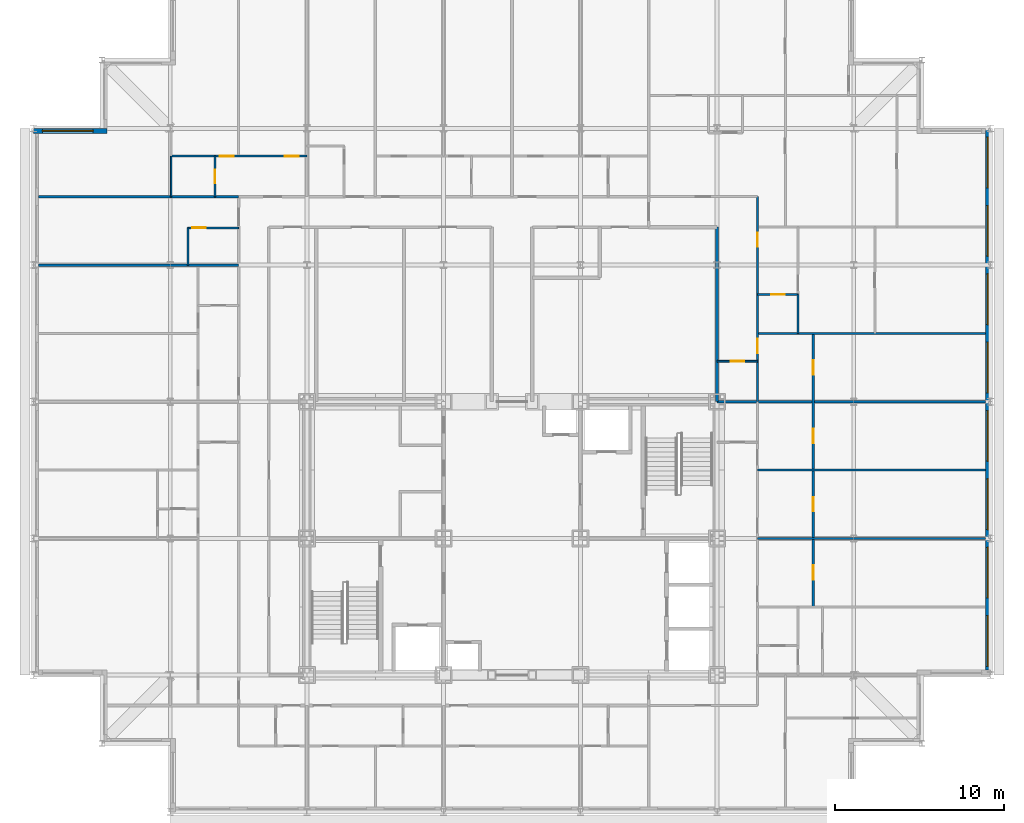
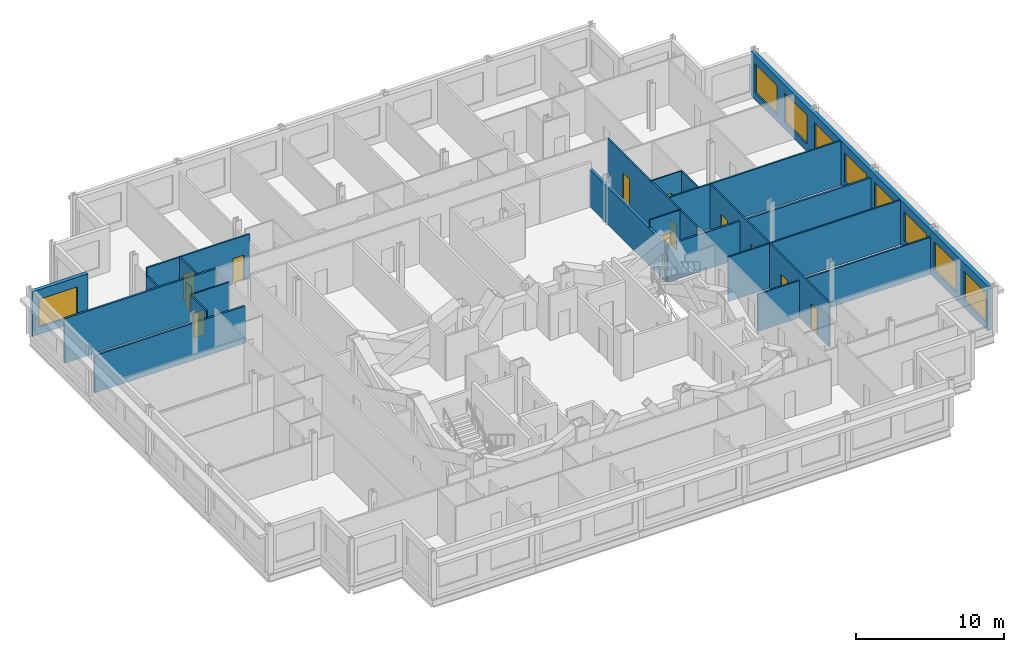
# One storey, part 11 of 15: 19 walls, 12 doors, 9 windows, 21 openings.
"""IFC4 building model written with IfcOpenShell, lengths in metres."""

from ifc_helpers import new_model, si_unit, direction, frame, frame_2d, origin, place, context, subcontext, project, spatial, rectangle, extrude, material, layer, layer_set, type_object, element, fill, save


model = new_model("IFC4")

# Units and contexts
model_context = context("Model", 3, precision=1e-05, world=origin(), true_north=direction((0.0, 1.0)))
body_context = subcontext(model_context, "Body", "Model", "MODEL_VIEW")
ifc_project = project(units=[si_unit("LENGTHUNIT", "METRE"), si_unit("AREAUNIT", "SQUARE_METRE"), si_unit("VOLUMEUNIT", "CUBIC_METRE"), si_unit("PLANEANGLEUNIT", "RADIAN"), si_unit("MASSUNIT", "GRAM", prefix="KILO")], contexts=[model_context])

# Site, building, storey
site_placement = place(None, origin())
site = spatial("IfcSite", under=ifc_project, at=site_placement, CompositionType="ELEMENT")
building_placement = place(site_placement, origin())
building = spatial("IfcBuilding", under=site, at=building_placement, Name="Kopane Lantern Tower", CompositionType="ELEMENT")
storey_placement = place(building_placement, frame((0.0, 0.0, 277.5)))
storey = spatial("IfcBuildingStorey", under=building, at=storey_placement, Name="L71", CompositionType="ELEMENT", Elevation=277.5)

# Wall, openings, doors
ifc_material_1 = material(Name="Gypsum board on steel studs", Category="steel")
ifc_layer_1 = layer(ifc_material_1, 0.1201171875)
ifc_layer_set_1 = layer_set([ifc_layer_1], Name="APARTMENT INTERNAL WALL 120")
wall_type_1 = type_object("IfcWallType", Name="APARTMENT INTERNAL WALL 120", PredefinedType="PARTITIONING", material=ifc_layer_set_1)
wall_1_placement = place(storey_placement, frame((8.14990234375, 55.050048828125, 0.0), z_axis=(0.0, 0.0, 1.0), x_axis=(1.0, 0.0, 0.0)))
wall_1 = element("IfcWall", 1, at=wall_1_placement, inside=storey, type_object=wall_type_1, Name="Apartment Internal Wall 120 L71", PredefinedType="PARTITIONING", context=body_context, shape_type="SweptSolid", body=[
    extrude(rectangle(XDim=8.050048828125, YDim=0.1201171875, at=frame_2d((4.02490234375, 0.0))), origin(), (0.0, 0.0, 1.0), 3.68994140625),
])
opening_1_placement = place(wall_1_placement, frame((6.72509765625, 0.0, 0.0)))
opening_1 = element("IfcOpeningElement", 2, at=opening_1_placement, cuts=wall_1, Name="Opening L71-042", PredefinedType="OPENING", context=body_context, shape_type="SweptSolid", body=[
    extrude(rectangle(XDim=0.85009765625, YDim=2.10009765625, at=frame_2d((0.425048828125, 1.050048828125))), frame((0.0, 0.070068359375, 0.0), z_axis=(0.0, -1.0, 0.0), x_axis=(1.0, 0.0, 0.0)), (0.0, 0.0, 1.0), 0.14013671875),
])
opening_2_placement = place(wall_1_placement, frame((2.875, 0.0, 0.0)))
opening_2 = element("IfcOpeningElement", 3, at=opening_2_placement, cuts=wall_1, Name="Opening L71-044", PredefinedType="OPENING", context=body_context, shape_type="SweptSolid", body=[
    extrude(rectangle(XDim=0.85009765625, YDim=2.10009765625, at=frame_2d((0.425048828125, 1.050048828125))), frame((0.0, 0.070068359375, 0.0), z_axis=(0.0, -1.0, 0.0), x_axis=(1.0, 0.0, 0.0)), (0.0, 0.0, 1.0), 0.14013671875),
])
ifc_material_2 = material(Name="Timber door set", Category="wood")
door_type_1 = type_object("IfcDoorType", Name="DOOR D4 850x2100", OperationType="SINGLE_SWING_LEFT", PredefinedType="DOOR", material=ifc_material_2)
door_1_placement = place(opening_1_placement, origin())
door_1 = element("IfcDoor", 4, at=door_1_placement, inside=storey, type_object=door_type_1, Name="Door L71-042", OperationType="SINGLE_SWING_LEFT", OverallHeight=2.10009765625, OverallWidth=0.85009765625, PredefinedType="DOOR", context=body_context, shape_type="SweptSolid", body=[
    extrude(rectangle(XDim=0.85009765625, YDim=2.10009765625, at=frame_2d((0.425048828125, 1.050048828125))), frame((0.0, 0.02490234375, 0.0), z_axis=(0.0, -1.0, 0.0), x_axis=(1.0, 0.0, 0.0)), (0.0, 0.0, 1.0), 0.050048828125),
])
fill(opening_1, door_1)
door_2_placement = place(opening_2_placement, origin())
door_2 = element("IfcDoor", 5, at=door_2_placement, inside=storey, type_object=door_type_1, Name="Door L71-044", OperationType="SINGLE_SWING_RIGHT", OverallHeight=2.10009765625, OverallWidth=0.85009765625, PredefinedType="DOOR", context=body_context, shape_type="SweptSolid", body=[
    extrude(rectangle(XDim=0.85009765625, YDim=2.10009765625, at=frame_2d((0.425048828125, 1.050048828125))), frame((0.0, 0.02490234375, 0.0), z_axis=(0.0, -1.0, 0.0), x_axis=(1.0, 0.0, 0.0)), (0.0, 0.0, 1.0), 0.050048828125),
])
fill(opening_2, door_2)

# Walls
wall_2_placement = place(storey_placement, frame((42.89990234375, 32.39990234375, 0.0), z_axis=(0.0, 0.0, 1.0), x_axis=(1.0, 0.0, 0.0)))
element("IfcWall", 6, at=wall_2_placement, inside=storey, type_object=wall_type_1, Name="Apartment Internal Wall 120 L71", PredefinedType="PARTITIONING", context=body_context, shape_type="SweptSolid", body=[
    extrude(rectangle(XDim=13.5, YDim=0.1201171875, at=frame_2d((6.75, 0.0))), origin(), (0.0, 0.0, 1.0), 3.077880859375),
])
wall_3_placement = place(storey_placement, frame((42.89990234375, 36.449951171875, 0.0), z_axis=(0.0, 0.0, 1.0), x_axis=(1.0, 0.0, 0.0)))
element("IfcWall", 7, at=wall_3_placement, inside=storey, type_object=wall_type_1, Name="Apartment Internal Wall 120 L71", PredefinedType="PARTITIONING", context=body_context, shape_type="SweptSolid", body=[
    extrude(rectangle(XDim=13.5, YDim=0.1201171875, at=frame_2d((6.75, 0.0))), origin(), (0.0, 0.0, 1.0), 3.68994140625),
])

# Wall, openings, doors
wall_4_placement = place(storey_placement, frame((42.89990234375, 52.64990234375, 0.0), z_axis=(0.0, 0.0, 1.0), x_axis=(0.0, -1.0, 0.0)))
wall_4 = element("IfcWall", 8, at=wall_4_placement, inside=storey, type_object=wall_type_1, Name="Apartment Internal Wall 120 L71", PredefinedType="PARTITIONING", context=body_context, shape_type="SweptSolid", body=[
    extrude(rectangle(XDim=12.14990234375, YDim=0.1201171875, at=frame_2d((6.074951171875, 0.0))), origin(), (0.0, 0.0, 1.0), 3.68994140625),
])
opening_3_placement = place(wall_4_placement, frame((2.125, 0.0, 0.0)))
opening_3 = element("IfcOpeningElement", 9, at=opening_3_placement, cuts=wall_4, Name="Opening L71-061", PredefinedType="OPENING", context=body_context, shape_type="SweptSolid", body=[
    extrude(rectangle(XDim=0.85009765625, YDim=2.10009765625, at=frame_2d((0.425048828125, 1.050048828125))), frame((0.0, 0.070068359375, 0.0), z_axis=(0.0, -1.0, 0.0), x_axis=(1.0, 0.0, 0.0)), (0.0, 0.0, 1.0), 0.14013671875),
])
opening_4_placement = place(wall_4_placement, frame((8.425048828125, 0.0, 0.0)))
opening_4 = element("IfcOpeningElement", 10, at=opening_4_placement, cuts=wall_4, Name="Opening L71-062", PredefinedType="OPENING", context=body_context, shape_type="SweptSolid", body=[
    extrude(rectangle(XDim=0.85009765625, YDim=2.10009765625, at=frame_2d((0.425048828125, 1.050048828125))), frame((0.0, 0.070068359375, 0.0), z_axis=(0.0, -1.0, 0.0), x_axis=(1.0, 0.0, 0.0)), (0.0, 0.0, 1.0), 0.14013671875),
])
door_3_placement = place(opening_3_placement, origin())
door_3 = element("IfcDoor", 11, at=door_3_placement, inside=storey, type_object=door_type_1, Name="Door L71-061", OperationType="SINGLE_SWING_LEFT", OverallHeight=2.10009765625, OverallWidth=0.85009765625, PredefinedType="DOOR", context=body_context, shape_type="SweptSolid", body=[
    extrude(rectangle(XDim=0.85009765625, YDim=2.10009765625, at=frame_2d((0.425048828125, 1.050048828125))), frame((0.0, 0.02490234375, 0.0), z_axis=(0.0, -1.0, 0.0), x_axis=(1.0, 0.0, 0.0)), (0.0, 0.0, 1.0), 0.050048828125),
])
fill(opening_3, door_3)
door_4_placement = place(opening_4_placement, origin())
door_4 = element("IfcDoor", 12, at=door_4_placement, inside=storey, type_object=door_type_1, Name="Door L71-062", OperationType="SINGLE_SWING_LEFT", OverallHeight=2.10009765625, OverallWidth=0.85009765625, PredefinedType="DOOR", context=body_context, shape_type="SweptSolid", body=[
    extrude(rectangle(XDim=0.85009765625, YDim=2.10009765625, at=frame_2d((0.425048828125, 1.050048828125))), frame((0.0, 0.02490234375, 0.0), z_axis=(0.0, -1.0, 0.0), x_axis=(1.0, 0.0, 0.0)), (0.0, 0.0, 1.0), 0.050048828125),
])
fill(opening_4, door_4)

# Wall
wall_5_placement = place(storey_placement, frame((42.89990234375, 44.550048828125, 0.0), z_axis=(0.0, 0.0, 1.0), x_axis=(1.0, 0.0, 0.0)))
element("IfcWall", 13, at=wall_5_placement, inside=storey, type_object=wall_type_1, Name="Apartment Internal Wall 120 L71", PredefinedType="PARTITIONING", context=body_context, shape_type="SweptSolid", body=[
    extrude(rectangle(XDim=13.5, YDim=0.1201171875, at=frame_2d((6.75, 0.0))), origin(), (0.0, 0.0, 1.0), 3.68994140625),
])

# Wall, openings, doors
wall_6_placement = place(storey_placement, frame((46.199951171875, 28.35009765625, 0.0), z_axis=(0.0, 0.0, 1.0), x_axis=(0.0, 1.0, 0.0)))
wall_6 = element("IfcWall", 14, at=wall_6_placement, inside=storey, type_object=wall_type_1, Name="Apartment Internal Wall 120 L71", PredefinedType="PARTITIONING", context=body_context, shape_type="SweptSolid", body=[
    extrude(rectangle(XDim=16.199951171875, YDim=0.1201171875, at=frame_2d((8.10009765625, 0.0))), origin(), (0.0, 0.0, 1.0), 3.68994140625),
])
opening_5_placement = place(wall_6_placement, frame((1.60009765625, 0.0, 0.0)))
opening_5 = element("IfcOpeningElement", 15, at=opening_5_placement, cuts=wall_6, Name="Opening L71-069", PredefinedType="OPENING", context=body_context, shape_type="SweptSolid", body=[
    extrude(rectangle(XDim=0.85009765625, YDim=2.10009765625, at=frame_2d((0.425048828125, 1.050048828125))), frame((0.0, 0.070068359375, 0.0), z_axis=(0.0, -1.0, 0.0), x_axis=(1.0, 0.0, 0.0)), (0.0, 0.0, 1.0), 0.14013671875),
])
opening_6_placement = place(wall_6_placement, frame((5.64990234375, 0.0, 0.0)))
opening_6 = element("IfcOpeningElement", 16, at=opening_6_placement, cuts=wall_6, Name="Opening L71-070", PredefinedType="OPENING", context=body_context, shape_type="SweptSolid", body=[
    extrude(rectangle(XDim=0.85009765625, YDim=2.10009765625, at=frame_2d((0.425048828125, 1.050048828125))), frame((0.0, 0.070068359375, 0.0), z_axis=(0.0, -1.0, 0.0), x_axis=(1.0, 0.0, 0.0)), (0.0, 0.0, 1.0), 0.14013671875),
])
opening_7_placement = place(wall_6_placement, frame((9.699951171875, 0.0, 0.0)))
opening_7 = element("IfcOpeningElement", 17, at=opening_7_placement, cuts=wall_6, Name="Opening L71-071", PredefinedType="OPENING", context=body_context, shape_type="SweptSolid", body=[
    extrude(rectangle(XDim=0.85009765625, YDim=2.10009765625, at=frame_2d((0.425048828125, 1.050048828125))), frame((0.0, 0.070068359375, 0.0), z_axis=(0.0, -1.0, 0.0), x_axis=(1.0, 0.0, 0.0)), (0.0, 0.0, 1.0), 0.14013671875),
])
opening_8_placement = place(wall_6_placement, frame((13.75, 0.0, 0.0)))
opening_8 = element("IfcOpeningElement", 18, at=opening_8_placement, cuts=wall_6, Name="Opening L71-074", PredefinedType="OPENING", context=body_context, shape_type="SweptSolid", body=[
    extrude(rectangle(XDim=0.85009765625, YDim=2.10009765625, at=frame_2d((0.425048828125, 1.050048828125))), frame((0.0, 0.070068359375, 0.0), z_axis=(0.0, -1.0, 0.0), x_axis=(1.0, 0.0, 0.0)), (0.0, 0.0, 1.0), 0.14013671875),
])
door_5_placement = place(opening_5_placement, origin())
door_5 = element("IfcDoor", 19, at=door_5_placement, inside=storey, type_object=door_type_1, Name="Door L71-069", OperationType="SINGLE_SWING_LEFT", OverallHeight=2.10009765625, OverallWidth=0.85009765625, PredefinedType="DOOR", context=body_context, shape_type="SweptSolid", body=[
    extrude(rectangle(XDim=0.85009765625, YDim=2.10009765625, at=frame_2d((0.425048828125, 1.050048828125))), frame((0.0, 0.02490234375, 0.0), z_axis=(0.0, -1.0, 0.0), x_axis=(1.0, 0.0, 0.0)), (0.0, 0.0, 1.0), 0.050048828125),
])
fill(opening_5, door_5)
door_6_placement = place(opening_6_placement, origin())
door_6 = element("IfcDoor", 20, at=door_6_placement, inside=storey, type_object=door_type_1, Name="Door L71-070", OperationType="SINGLE_SWING_RIGHT", OverallHeight=2.10009765625, OverallWidth=0.85009765625, PredefinedType="DOOR", context=body_context, shape_type="SweptSolid", body=[
    extrude(rectangle(XDim=0.85009765625, YDim=2.10009765625, at=frame_2d((0.425048828125, 1.050048828125))), frame((0.0, 0.02490234375, 0.0), z_axis=(0.0, -1.0, 0.0), x_axis=(1.0, 0.0, 0.0)), (0.0, 0.0, 1.0), 0.050048828125),
])
fill(opening_6, door_6)
door_7_placement = place(opening_7_placement, origin())
door_7 = element("IfcDoor", 21, at=door_7_placement, inside=storey, type_object=door_type_1, Name="Door L71-071", OperationType="SINGLE_SWING_LEFT", OverallHeight=2.10009765625, OverallWidth=0.85009765625, PredefinedType="DOOR", context=body_context, shape_type="SweptSolid", body=[
    extrude(rectangle(XDim=0.85009765625, YDim=2.10009765625, at=frame_2d((0.425048828125, 1.050048828125))), frame((0.0, 0.02490234375, 0.0), z_axis=(0.0, -1.0, 0.0), x_axis=(1.0, 0.0, 0.0)), (0.0, 0.0, 1.0), 0.050048828125),
])
fill(opening_7, door_7)
door_8_placement = place(opening_8_placement, origin())
door_8 = element("IfcDoor", 22, at=door_8_placement, inside=storey, type_object=door_type_1, Name="Door L71-074", OperationType="SINGLE_SWING_RIGHT", OverallHeight=2.10009765625, OverallWidth=0.85009765625, PredefinedType="DOOR", context=body_context, shape_type="SweptSolid", body=[
    extrude(rectangle(XDim=0.85009765625, YDim=2.10009765625, at=frame_2d((0.425048828125, 1.050048828125))), frame((0.0, 0.02490234375, 0.0), z_axis=(0.0, -1.0, 0.0), x_axis=(1.0, 0.0, 0.0)), (0.0, 0.0, 1.0), 0.050048828125),
])
fill(opening_8, door_8)

# Wall
ifc_material_3 = material(Name="Moisture-resistant board on steel studs", Category="steel")
ifc_layer_2 = layer(ifc_material_3, 0.10009765625)
ifc_layer_set_2 = layer_set([ifc_layer_2], Name="BATHROOM WALL 100")
wall_type_2 = type_object("IfcWallType", Name="BATHROOM WALL 100", PredefinedType="PARTITIONING", material=ifc_layer_set_2)
wall_7_placement = place(storey_placement, frame((9.14990234375, 48.60009765625, 0.0), z_axis=(0.0, 0.0, 1.0), x_axis=(0.0, 1.0, 0.0)))
element("IfcWall", 23, at=wall_7_placement, inside=storey, type_object=wall_type_2, Name="Bathroom Wall 100 L71", PredefinedType="PARTITIONING", context=body_context, shape_type="SweptSolid", body=[
    extrude(rectangle(XDim=2.199951171875, YDim=0.10009765625, at=frame_2d((1.10009765625, 0.0))), origin(), (0.0, 0.0, 1.0), 3.68994140625),
])

# Wall, opening, door
wall_8_placement = place(storey_placement, frame((12.14990234375, 50.800048828125, 0.0), z_axis=(0.0, 0.0, 1.0), x_axis=(-1.0, 0.0, 0.0)))
wall_8 = element("IfcWall", 24, at=wall_8_placement, inside=storey, type_object=wall_type_2, Name="Bathroom Wall 100 L71", PredefinedType="PARTITIONING", context=body_context, shape_type="SweptSolid", body=[
    extrude(rectangle(XDim=3.0, YDim=0.10009765625, at=frame_2d((1.5, 0.0))), origin(), (0.0, 0.0, 1.0), 3.68994140625),
])
opening_9_placement = place(wall_8_placement, frame((1.949951171875, 0.0, 0.0)))
opening_9 = element("IfcOpeningElement", 25, at=opening_9_placement, cuts=wall_8, Name="Opening L71-036", PredefinedType="OPENING", context=body_context, shape_type="SweptSolid", body=[
    extrude(rectangle(XDim=0.800048828125, YDim=2.10009765625, at=frame_2d((0.39990234375, 1.050048828125))), frame((0.0, 0.06005859375, 0.0), z_axis=(0.0, -1.0, 0.0), x_axis=(1.0, 0.0, 0.0)), (0.0, 0.0, 1.0), 0.1201171875),
])
ifc_material_4 = material(Name="Timber door set", Category="wood")
door_type_2 = type_object("IfcDoorType", Name="DOOR D2 800x2100", OperationType="SINGLE_SWING_LEFT", PredefinedType="DOOR", material=ifc_material_4)
door_9_placement = place(opening_9_placement, origin())
door_9 = element("IfcDoor", 26, at=door_9_placement, inside=storey, type_object=door_type_2, Name="Door L71-036", OperationType="SINGLE_SWING_RIGHT", OverallHeight=2.10009765625, OverallWidth=0.800048828125, PredefinedType="DOOR", context=body_context, shape_type="SweptSolid", body=[
    extrude(rectangle(XDim=0.800048828125, YDim=2.10009765625, at=frame_2d((0.39990234375, 1.050048828125))), frame((0.0, 0.02490234375, 0.0), z_axis=(0.0, -1.0, 0.0), x_axis=(1.0, 0.0, 0.0)), (0.0, 0.0, 1.0), 0.050048828125),
])
fill(opening_9, door_9)

wall_9_placement = place(storey_placement, frame((10.75, 52.64990234375, 0.0), z_axis=(0.0, 0.0, 1.0), x_axis=(0.0, 1.0, 0.0)))
wall_9 = element("IfcWall", 27, at=wall_9_placement, inside=storey, type_object=wall_type_2, Name="Bathroom Wall 100 L71", PredefinedType="PARTITIONING", context=body_context, shape_type="SweptSolid", body=[
    extrude(rectangle(XDim=2.400146484375, YDim=0.10009765625, at=frame_2d((1.2001953125, 0.0))), origin(), (0.0, 0.0, 1.0), 3.68994140625),
])
opening_10_placement = place(wall_9_placement, frame((0.800048828125, 0.0, 0.0)))
opening_10 = element("IfcOpeningElement", 28, at=opening_10_placement, cuts=wall_9, Name="Opening L71-043", PredefinedType="OPENING", context=body_context, shape_type="SweptSolid", body=[
    extrude(rectangle(XDim=0.800048828125, YDim=2.10009765625, at=frame_2d((0.39990234375, 1.050048828125))), frame((0.0, 0.06005859375, 0.0), z_axis=(0.0, -1.0, 0.0), x_axis=(1.0, 0.0, 0.0)), (0.0, 0.0, 1.0), 0.1201171875),
])
door_10_placement = place(opening_10_placement, origin())
door_10 = element("IfcDoor", 29, at=door_10_placement, inside=storey, type_object=door_type_2, Name="Door L71-043", OperationType="SINGLE_SWING_LEFT", OverallHeight=2.10009765625, OverallWidth=0.800048828125, PredefinedType="DOOR", context=body_context, shape_type="SweptSolid", body=[
    extrude(rectangle(XDim=0.800048828125, YDim=2.10009765625, at=frame_2d((0.39990234375, 1.050048828125))), frame((0.0, 0.02490234375, 0.0), z_axis=(0.0, -1.0, 0.0), x_axis=(1.0, 0.0, 0.0)), (0.0, 0.0, 1.0), 0.050048828125),
])
fill(opening_10, door_10)

# Wall
wall_10_placement = place(storey_placement, frame((8.14990234375, 52.64990234375, 0.0), z_axis=(0.0, 0.0, 1.0), x_axis=(0.0, 1.0, 0.0)))
element("IfcWall", 30, at=wall_10_placement, inside=storey, type_object=wall_type_2, Name="Bathroom Wall 100 L71", PredefinedType="PARTITIONING", context=body_context, shape_type="SweptSolid", body=[
    extrude(rectangle(XDim=2.400146484375, YDim=0.10009765625, at=frame_2d((1.2001953125, 0.0))), origin(), (0.0, 0.0, 1.0), 3.077880859375),
])

# Wall, opening, door
wall_11_placement = place(storey_placement, frame((40.5, 42.89990234375, 0.0), z_axis=(0.0, 0.0, 1.0), x_axis=(1.0, 0.0, 0.0)))
wall_11 = element("IfcWall", 31, at=wall_11_placement, inside=storey, type_object=wall_type_2, Name="Bathroom Wall 100 L71", PredefinedType="PARTITIONING", context=body_context, shape_type="SweptSolid", body=[
    extrude(rectangle(XDim=2.39990234375, YDim=0.10009765625, at=frame_2d((1.199951171875, 0.0))), origin(), (0.0, 0.0, 1.0), 3.68994140625),
])
opening_11_placement = place(wall_11_placement, frame((0.800048828125, 0.0, 0.0)))
opening_11 = element("IfcOpeningElement", 32, at=opening_11_placement, cuts=wall_11, Name="Opening L71-055", PredefinedType="OPENING", context=body_context, shape_type="SweptSolid", body=[
    extrude(rectangle(XDim=0.800048828125, YDim=2.10009765625, at=frame_2d((0.39990234375, 1.050048828125))), frame((0.0, 0.06005859375, 0.0), z_axis=(0.0, -1.0, 0.0), x_axis=(1.0, 0.0, 0.0)), (0.0, 0.0, 1.0), 0.1201171875),
])
door_11_placement = place(opening_11_placement, origin())
door_11 = element("IfcDoor", 33, at=door_11_placement, inside=storey, type_object=door_type_2, Name="Door L71-055", OperationType="SINGLE_SWING_RIGHT", OverallHeight=2.10009765625, OverallWidth=0.800048828125, PredefinedType="DOOR", context=body_context, shape_type="SweptSolid", body=[
    extrude(rectangle(XDim=0.800048828125, YDim=2.10009765625, at=frame_2d((0.39990234375, 1.050048828125))), frame((0.0, 0.02490234375, 0.0), z_axis=(0.0, -1.0, 0.0), x_axis=(1.0, 0.0, 0.0)), (0.0, 0.0, 1.0), 0.050048828125),
])
fill(opening_11, door_11)

wall_12_placement = place(storey_placement, frame((42.89990234375, 46.85009765625, 0.0), z_axis=(0.0, 0.0, 1.0), x_axis=(1.0, 0.0, 0.0)))
wall_12 = element("IfcWall", 34, at=wall_12_placement, inside=storey, type_object=wall_type_2, Name="Bathroom Wall 100 L71", PredefinedType="PARTITIONING", context=body_context, shape_type="SweptSolid", body=[
    extrude(rectangle(XDim=2.400146484375, YDim=0.10009765625, at=frame_2d((1.2001953125, 0.0))), origin(), (0.0, 0.0, 1.0), 3.68994140625),
])
opening_12_placement = place(wall_12_placement, frame((0.800048828125, 0.0, 0.0)))
opening_12 = element("IfcOpeningElement", 35, at=opening_12_placement, cuts=wall_12, Name="Opening L71-060", PredefinedType="OPENING", context=body_context, shape_type="SweptSolid", body=[
    extrude(rectangle(XDim=0.800048828125, YDim=2.10009765625, at=frame_2d((0.39990234375, 1.050048828125))), frame((0.0, 0.06005859375, 0.0), z_axis=(0.0, -1.0, 0.0), x_axis=(1.0, 0.0, 0.0)), (0.0, 0.0, 1.0), 0.1201171875),
])
door_12_placement = place(opening_12_placement, origin())
door_12 = element("IfcDoor", 36, at=door_12_placement, inside=storey, type_object=door_type_2, Name="Door L71-060", OperationType="SINGLE_SWING_LEFT", OverallHeight=2.10009765625, OverallWidth=0.800048828125, PredefinedType="DOOR", context=body_context, shape_type="SweptSolid", body=[
    extrude(rectangle(XDim=0.800048828125, YDim=2.10009765625, at=frame_2d((0.39990234375, 1.050048828125))), frame((0.0, 0.02490234375, 0.0), z_axis=(0.0, -1.0, 0.0), x_axis=(1.0, 0.0, 0.0)), (0.0, 0.0, 1.0), 0.050048828125),
])
fill(opening_12, door_12)

# Walls
wall_13_placement = place(storey_placement, frame((45.300048828125, 46.85009765625, 0.0), z_axis=(0.0, 0.0, 1.0), x_axis=(0.0, -1.0, 0.0)))
element("IfcWall", 37, at=wall_13_placement, inside=storey, type_object=wall_type_2, Name="Bathroom Wall 100 L71", PredefinedType="PARTITIONING", context=body_context, shape_type="SweptSolid", body=[
    extrude(rectangle(XDim=2.300048828125, YDim=0.10009765625, at=frame_2d((1.14990234375, 0.0))), origin(), (0.0, 0.0, 1.0), 3.68994140625),
])
ifc_material_5 = material(Name="Gypsum board on steel studs", Category="steel")
ifc_layer_3 = layer(ifc_material_5, 0.14990234375)
ifc_layer_set_3 = layer_set([ifc_layer_3], Name="DEMISING WALL 150 EI 60")
wall_type_3 = type_object("IfcWallType", Name="DEMISING WALL 150 EI 60", PredefinedType="PARTITIONING", material=ifc_layer_set_3)
wall_14_placement = place(storey_placement, frame((12.14990234375, 48.60009765625, 0.0), z_axis=(0.0, 0.0, 1.0), x_axis=(-1.0, 0.0, 0.0)))
element("IfcWall", 38, at=wall_14_placement, inside=storey, type_object=wall_type_3, Name="Demising Wall 150 Ei 60 L71", PredefinedType="PARTITIONING", context=body_context, shape_type="SweptSolid", body=[
    extrude(rectangle(XDim=11.849853515625, YDim=0.14990234375, at=frame_2d((5.9248046875, 0.0))), origin(), (0.0, 0.0, 1.0), 3.077880859375),
])
wall_15_placement = place(storey_placement, frame((0.300048828125, 52.64990234375, 0.0), z_axis=(0.0, 0.0, 1.0), x_axis=(1.0, 0.0, 0.0)))
element("IfcWall", 39, at=wall_15_placement, inside=storey, type_object=wall_type_3, Name="Demising Wall 150 Ei 60 L71", PredefinedType="PARTITIONING", context=body_context, shape_type="SweptSolid", body=[
    extrude(rectangle(XDim=11.849853515625, YDim=0.14990234375, at=frame_2d((5.9248046875, 0.0))), origin(), (0.0, 0.0, 1.0), 3.68994140625),
])
wall_16_placement = place(storey_placement, frame((40.5, 40.5, 0.0), z_axis=(0.0, 0.0, 1.0), x_axis=(1.0, 0.0, 0.0)))
element("IfcWall", 40, at=wall_16_placement, inside=storey, type_object=wall_type_3, Name="Demising Wall 150 Ei 60 L71", PredefinedType="PARTITIONING", context=body_context, shape_type="SweptSolid", body=[
    extrude(rectangle(XDim=15.89990234375, YDim=0.14990234375, at=frame_2d((7.949951171875, 0.0))), origin(), (0.0, 0.0, 1.0), 3.077880859375),
])

# Wall, openings, windows
ifc_material_6 = material(Name="Terracotta rainscreen on light steel framing", Category="masonry")
ifc_layer_4 = layer(ifc_material_6, 0.300048828125)
ifc_layer_set_4 = layer_set([ifc_layer_4], Name="EXTERNAL WALL EW1 300 TERRACOTTA")
wall_type_4 = type_object("IfcWallType", Name="EXTERNAL WALL EW1 300 TERRACOTTA", PredefinedType="SOLIDWALL", material=ifc_layer_set_4)
wall_17_placement = place(storey_placement, frame((56.550048828125, 24.60009765625, 0.0), z_axis=(0.0, 0.0, 1.0), x_axis=(0.0, 1.0, 0.0)))
wall_17 = element("IfcWall", 41, at=wall_17_placement, inside=storey, type_object=wall_type_4, Name="External wall E L71", PredefinedType="SOLIDWALL", context=body_context, shape_type="SweptSolid", body=[
    extrude(rectangle(XDim=32.099853515625, YDim=0.300048828125, at=frame_2d((16.0498046875, 0.0))), origin(), (0.0, 0.0, 1.0), 3.68994140625),
])
opening_13_placement = place(wall_17_placement, frame((0.22509765625, 0.0, 0.60009765625)))
opening_13 = element("IfcOpeningElement", 42, at=opening_13_placement, cuts=wall_17, Name="Opening WR300240", PredefinedType="OPENING", context=body_context, shape_type="SweptSolid", body=[
    extrude(rectangle(XDim=3.0, YDim=2.39990234375, at=frame_2d((1.5, 1.199951171875))), frame((0.0, 0.159912109375, 0.0), z_axis=(0.0, -1.0, 0.0), x_axis=(1.0, 0.0, 0.0)), (0.0, 0.0, 1.0), 0.320068359375),
])
opening_14_placement = place(wall_17_placement, frame((4.27490234375, 0.0, 0.60009765625)))
opening_14 = element("IfcOpeningElement", 43, at=opening_14_placement, cuts=wall_17, Name="Opening WR300240", PredefinedType="OPENING", context=body_context, shape_type="SweptSolid", body=[
    extrude(rectangle(XDim=3.0, YDim=2.39990234375, at=frame_2d((1.5, 1.199951171875))), frame((0.0, 0.159912109375, 0.0), z_axis=(0.0, -1.0, 0.0), x_axis=(1.0, 0.0, 0.0)), (0.0, 0.0, 1.0), 0.320068359375),
])
opening_15_placement = place(wall_17_placement, frame((8.324951171875, 0.0, 0.60009765625)))
opening_15 = element("IfcOpeningElement", 44, at=opening_15_placement, cuts=wall_17, Name="Opening WR300240", PredefinedType="OPENING", context=body_context, shape_type="SweptSolid", body=[
    extrude(rectangle(XDim=3.0, YDim=2.39990234375, at=frame_2d((1.5, 1.199951171875))), frame((0.0, 0.159912109375, 0.0), z_axis=(0.0, -1.0, 0.0), x_axis=(1.0, 0.0, 0.0)), (0.0, 0.0, 1.0), 0.320068359375),
])
opening_16_placement = place(wall_17_placement, frame((12.375, 0.0, 0.60009765625)))
opening_16 = element("IfcOpeningElement", 45, at=opening_16_placement, cuts=wall_17, Name="Opening WR300240", PredefinedType="OPENING", context=body_context, shape_type="SweptSolid", body=[
    extrude(rectangle(XDim=3.0, YDim=2.39990234375, at=frame_2d((1.5, 1.199951171875))), frame((0.0, 0.159912109375, 0.0), z_axis=(0.0, -1.0, 0.0), x_axis=(1.0, 0.0, 0.0)), (0.0, 0.0, 1.0), 0.320068359375),
])
opening_17_placement = place(wall_17_placement, frame((16.425048828125, 0.0, 0.60009765625)))
opening_17 = element("IfcOpeningElement", 46, at=opening_17_placement, cuts=wall_17, Name="Opening WR300240", PredefinedType="OPENING", context=body_context, shape_type="SweptSolid", body=[
    extrude(rectangle(XDim=3.0, YDim=2.39990234375, at=frame_2d((1.5, 1.199951171875))), frame((0.0, 0.159912109375, 0.0), z_axis=(0.0, -1.0, 0.0), x_axis=(1.0, 0.0, 0.0)), (0.0, 0.0, 1.0), 0.320068359375),
])
opening_18_placement = place(wall_17_placement, frame((20.47509765625, 0.0, 0.60009765625)))
opening_18 = element("IfcOpeningElement", 47, at=opening_18_placement, cuts=wall_17, Name="Opening WR300240", PredefinedType="OPENING", context=body_context, shape_type="SweptSolid", body=[
    extrude(rectangle(XDim=3.0, YDim=2.39990234375, at=frame_2d((1.5, 1.199951171875))), frame((0.0, 0.159912109375, 0.0), z_axis=(0.0, -1.0, 0.0), x_axis=(1.0, 0.0, 0.0)), (0.0, 0.0, 1.0), 0.320068359375),
])
opening_19_placement = place(wall_17_placement, frame((24.52490234375, 0.0, 0.60009765625)))
opening_19 = element("IfcOpeningElement", 48, at=opening_19_placement, cuts=wall_17, Name="Opening WR300240", PredefinedType="OPENING", context=body_context, shape_type="SweptSolid", body=[
    extrude(rectangle(XDim=3.0, YDim=2.39990234375, at=frame_2d((1.5, 1.199951171875))), frame((0.0, 0.159912109375, 0.0), z_axis=(0.0, -1.0, 0.0), x_axis=(1.0, 0.0, 0.0)), (0.0, 0.0, 1.0), 0.320068359375),
])
opening_20_placement = place(wall_17_placement, frame((28.574951171875, 0.0, 0.60009765625)))
opening_20 = element("IfcOpeningElement", 49, at=opening_20_placement, cuts=wall_17, Name="Opening WR300240", PredefinedType="OPENING", context=body_context, shape_type="SweptSolid", body=[
    extrude(rectangle(XDim=3.0, YDim=2.39990234375, at=frame_2d((1.5, 1.199951171875))), frame((0.0, 0.159912109375, 0.0), z_axis=(0.0, -1.0, 0.0), x_axis=(1.0, 0.0, 0.0)), (0.0, 0.0, 1.0), 0.320068359375),
])
ifc_material_7 = material(Name="Aluminium and clear glass", Category="aluminium")
window_type_1 = type_object("IfcWindowType", Name="RIBBON WINDOW WR300240 3000x2400", PartitioningType="SINGLE_PANEL", PredefinedType="WINDOW", material=ifc_material_7)
window_1_placement = place(opening_13_placement, origin())
window_1 = element("IfcWindow", 50, at=window_1_placement, inside=storey, type_object=window_type_1, Name="Window E L71", OverallHeight=2.39990234375, OverallWidth=3.0, PartitioningType="SINGLE_PANEL", PredefinedType="WINDOW", context=body_context, shape_type="SweptSolid", body=[
    extrude(rectangle(XDim=3.0, YDim=2.39990234375, at=frame_2d((1.5, 1.199951171875))), frame((0.0, 0.030029296875, 0.0), z_axis=(0.0, -1.0, 0.0), x_axis=(1.0, 0.0, 0.0)), (0.0, 0.0, 1.0), 0.06005859375),
])
fill(opening_13, window_1)
window_2_placement = place(opening_14_placement, origin())
window_2 = element("IfcWindow", 51, at=window_2_placement, inside=storey, type_object=window_type_1, Name="Window E L71", OverallHeight=2.39990234375, OverallWidth=3.0, PartitioningType="SINGLE_PANEL", PredefinedType="WINDOW", context=body_context, shape_type="SweptSolid", body=[
    extrude(rectangle(XDim=3.0, YDim=2.39990234375, at=frame_2d((1.5, 1.199951171875))), frame((0.0, 0.030029296875, 0.0), z_axis=(0.0, -1.0, 0.0), x_axis=(1.0, 0.0, 0.0)), (0.0, 0.0, 1.0), 0.06005859375),
])
fill(opening_14, window_2)
window_3_placement = place(opening_15_placement, origin())
window_3 = element("IfcWindow", 52, at=window_3_placement, inside=storey, type_object=window_type_1, Name="Window E L71", OverallHeight=2.39990234375, OverallWidth=3.0, PartitioningType="SINGLE_PANEL", PredefinedType="WINDOW", context=body_context, shape_type="SweptSolid", body=[
    extrude(rectangle(XDim=3.0, YDim=2.39990234375, at=frame_2d((1.5, 1.199951171875))), frame((0.0, 0.030029296875, 0.0), z_axis=(0.0, -1.0, 0.0), x_axis=(1.0, 0.0, 0.0)), (0.0, 0.0, 1.0), 0.06005859375),
])
fill(opening_15, window_3)
window_4_placement = place(opening_16_placement, origin())
window_4 = element("IfcWindow", 53, at=window_4_placement, inside=storey, type_object=window_type_1, Name="Window E L71", OverallHeight=2.39990234375, OverallWidth=3.0, PartitioningType="SINGLE_PANEL", PredefinedType="WINDOW", context=body_context, shape_type="SweptSolid", body=[
    extrude(rectangle(XDim=3.0, YDim=2.39990234375, at=frame_2d((1.5, 1.199951171875))), frame((0.0, 0.030029296875, 0.0), z_axis=(0.0, -1.0, 0.0), x_axis=(1.0, 0.0, 0.0)), (0.0, 0.0, 1.0), 0.06005859375),
])
fill(opening_16, window_4)
window_5_placement = place(opening_17_placement, origin())
window_5 = element("IfcWindow", 54, at=window_5_placement, inside=storey, type_object=window_type_1, Name="Window E L71", OverallHeight=2.39990234375, OverallWidth=3.0, PartitioningType="SINGLE_PANEL", PredefinedType="WINDOW", context=body_context, shape_type="SweptSolid", body=[
    extrude(rectangle(XDim=3.0, YDim=2.39990234375, at=frame_2d((1.5, 1.199951171875))), frame((0.0, 0.030029296875, 0.0), z_axis=(0.0, -1.0, 0.0), x_axis=(1.0, 0.0, 0.0)), (0.0, 0.0, 1.0), 0.06005859375),
])
fill(opening_17, window_5)
window_6_placement = place(opening_18_placement, origin())
window_6 = element("IfcWindow", 55, at=window_6_placement, inside=storey, type_object=window_type_1, Name="Window E L71", OverallHeight=2.39990234375, OverallWidth=3.0, PartitioningType="SINGLE_PANEL", PredefinedType="WINDOW", context=body_context, shape_type="SweptSolid", body=[
    extrude(rectangle(XDim=3.0, YDim=2.39990234375, at=frame_2d((1.5, 1.199951171875))), frame((0.0, 0.030029296875, 0.0), z_axis=(0.0, -1.0, 0.0), x_axis=(1.0, 0.0, 0.0)), (0.0, 0.0, 1.0), 0.06005859375),
])
fill(opening_18, window_6)
window_7_placement = place(opening_19_placement, origin())
window_7 = element("IfcWindow", 56, at=window_7_placement, inside=storey, type_object=window_type_1, Name="Window E L71", OverallHeight=2.39990234375, OverallWidth=3.0, PartitioningType="SINGLE_PANEL", PredefinedType="WINDOW", context=body_context, shape_type="SweptSolid", body=[
    extrude(rectangle(XDim=3.0, YDim=2.39990234375, at=frame_2d((1.5, 1.199951171875))), frame((0.0, 0.030029296875, 0.0), z_axis=(0.0, -1.0, 0.0), x_axis=(1.0, 0.0, 0.0)), (0.0, 0.0, 1.0), 0.06005859375),
])
fill(opening_19, window_7)
window_8_placement = place(opening_20_placement, origin())
window_8 = element("IfcWindow", 57, at=window_8_placement, inside=storey, type_object=window_type_1, Name="Window E L71", OverallHeight=2.39990234375, OverallWidth=3.0, PartitioningType="SINGLE_PANEL", PredefinedType="WINDOW", context=body_context, shape_type="SweptSolid", body=[
    extrude(rectangle(XDim=3.0, YDim=2.39990234375, at=frame_2d((1.5, 1.199951171875))), frame((0.0, 0.030029296875, 0.0), z_axis=(0.0, -1.0, 0.0), x_axis=(1.0, 0.0, 0.0)), (0.0, 0.0, 1.0), 0.06005859375),
])
fill(opening_20, window_8)

# Wall, opening, window
wall_18_placement = place(storey_placement, frame((4.35009765625, 56.550048828125, 0.0), z_axis=(0.0, 0.0, 1.0), x_axis=(-1.0, 0.0, 0.0)))
wall_18 = element("IfcWall", 58, at=wall_18_placement, inside=storey, type_object=wall_type_4, Name="External wall N L71", PredefinedType="SOLIDWALL", context=body_context, shape_type="SweptSolid", body=[
    extrude(rectangle(XDim=4.35009765625, YDim=0.300048828125, at=frame_2d((2.175048828125, 0.0))), origin(), (0.0, 0.0, 1.0), 3.68994140625),
])
opening_21_placement = place(wall_18_placement, frame((0.824951171875, 0.0, 0.60009765625)))
opening_21 = element("IfcOpeningElement", 59, at=opening_21_placement, cuts=wall_18, Name="Opening WR300230", PredefinedType="OPENING", context=body_context, shape_type="SweptSolid", body=[
    extrude(rectangle(XDim=3.0, YDim=2.300048828125, at=frame_2d((1.5, 1.14990234375))), frame((0.0, 0.159912109375, 0.0), z_axis=(0.0, -1.0, 0.0), x_axis=(1.0, 0.0, 0.0)), (0.0, 0.0, 1.0), 0.320068359375),
])
ifc_material_8 = material(Name="Aluminium and clear glass", Category="aluminium")
window_type_2 = type_object("IfcWindowType", Name="RIBBON WINDOW WR300230 3000x2300", PartitioningType="SINGLE_PANEL", PredefinedType="WINDOW", material=ifc_material_8)
window_9_placement = place(opening_21_placement, origin())
window_9 = element("IfcWindow", 60, at=window_9_placement, inside=storey, type_object=window_type_2, Name="Window N L71", OverallHeight=2.300048828125, OverallWidth=3.0, PartitioningType="SINGLE_PANEL", PredefinedType="WINDOW", context=body_context, shape_type="SweptSolid", body=[
    extrude(rectangle(XDim=3.0, YDim=2.300048828125, at=frame_2d((1.5, 1.14990234375))), frame((0.0, 0.030029296875, 0.0), z_axis=(0.0, -1.0, 0.0), x_axis=(1.0, 0.0, 0.0)), (0.0, 0.0, 1.0), 0.06005859375),
])
fill(opening_21, window_9)

# Wall
ifc_material_9 = material(Name="Concrete masonry", Category="masonry")
ifc_layer_5 = layer(ifc_material_9, 0.199951171875)
ifc_layer_set_5 = layer_set([ifc_layer_5], Name="PLANT ROOM WALL 200 EI 120")
wall_type_5 = type_object("IfcWallType", Name="PLANT ROOM WALL 200 EI 120", PredefinedType="SOLIDWALL", material=ifc_layer_set_5)
wall_19_placement = place(storey_placement, frame((40.5, 40.5, 0.0), z_axis=(0.0, 0.0, 1.0), x_axis=(0.0, 1.0, 0.0)))
element("IfcWall", 61, at=wall_19_placement, inside=storey, type_object=wall_type_5, Name="Plant Room Wall 200 Ei 120 L71", PredefinedType="SOLIDWALL", context=body_context, shape_type="SweptSolid", body=[
    extrude(rectangle(XDim=10.35009765625, YDim=0.199951171875, at=frame_2d((5.175048828125, 0.0))), origin(), (0.0, 0.0, 1.0), 3.077880859375),
])

save(model, "model.ifc")
